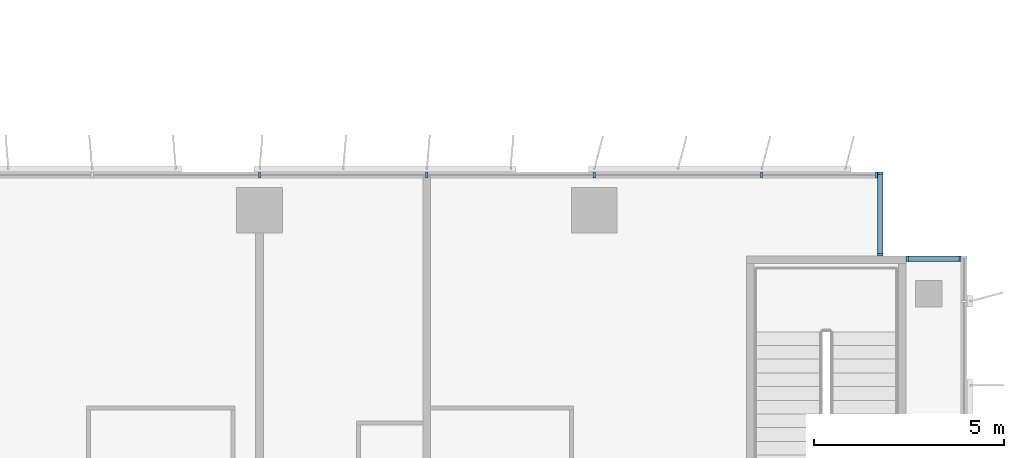
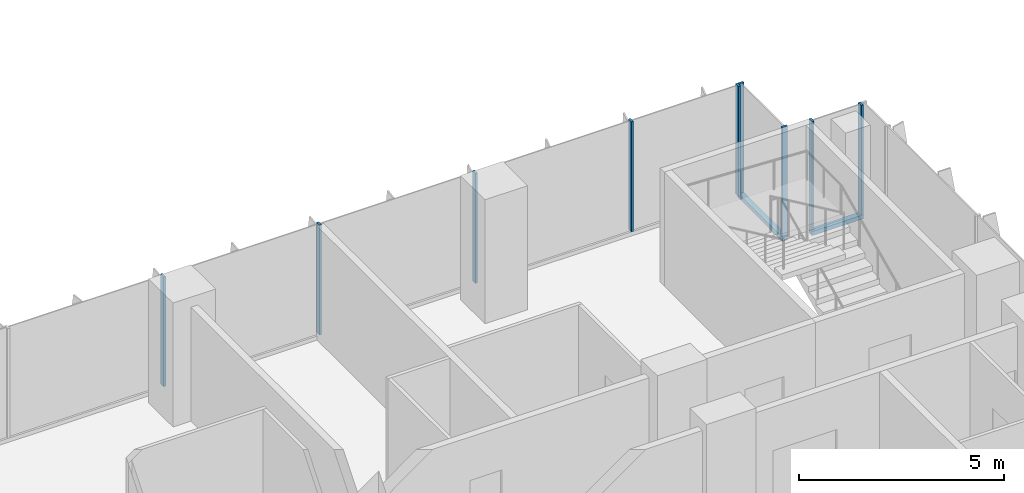
# One storey, part 4 of 22: 11 members, 3 elements without a shape of their own.
"""IFC4 building model written with IfcOpenShell, lengths in metres."""

from ifc_helpers import new_model, si_unit, direction, frame, origin, origin_2d, place, context, subcontext, project, spatial, rectangle, extrude, source, transform, mapped, material, material_profile, profile_set, type_object, element, aggregate, save


model = new_model("IFC4")

# Units and contexts
model_context = context("Model", 3, precision=1e-05, world=origin(), true_north=direction((0.0, 1.0)))
body_context = subcontext(model_context, "Body", "Model", "MODEL_VIEW")
ifc_project = project(units=[si_unit("LENGTHUNIT", "METRE"), si_unit("AREAUNIT", "SQUARE_METRE"), si_unit("VOLUMEUNIT", "CUBIC_METRE"), si_unit("PLANEANGLEUNIT", "RADIAN"), si_unit("MASSUNIT", "GRAM", prefix="KILO")], contexts=[model_context])

# Site, building, storey
site_placement = place(None, origin())
site = spatial("IfcSite", under=ifc_project, at=site_placement, CompositionType="ELEMENT")
building_placement = place(site_placement, origin())
building = spatial("IfcBuilding", under=site, at=building_placement, Name="Kemantara Hotel Tower", CompositionType="ELEMENT")
storey_placement = place(building_placement, frame((0.0, 0.0, 90.800048828125)))
storey = spatial("IfcBuildingStorey", under=building, at=storey_placement, Name="L21", CompositionType="ELEMENT", Elevation=90.800048828125)

# Curtain wall, member
ifc_material_1 = material(Name="Low-E tinted double insulated glass 36 mm", Category="glass")
curtain_wall_type = type_object("IfcCurtainWallType", Name="TOWER CURTAIN WALL, FRONT FACES", PredefinedType="USERDEFINED", material=ifc_material_1)
curtain_wall_1_placement = place(storey_placement, origin())
curtain_wall_1 = element("IfcCurtainWall", 1, at=curtain_wall_1_placement, inside=storey, type_object=curtain_wall_type, Name="CW4 L21 T2-R11-1", ObjectType="TOWER CURTAIN WALL, FRONT FACES", PredefinedType="USERDEFINED")
ifc_material_2 = material(Name="Aluminium 6063-T6 bronze anodised", Category="aluminium")
ifc_material_profile_1 = material_profile(ifc_material_2, rectangle(XDim=0.14990234375, YDim=0.1201171875, at=origin_2d()), Name="TOWER CURTAIN WALL, FRONT FACES TRANSOM")
ifc_profile_set_1 = profile_set([ifc_material_profile_1], Name="Aluminium 6063-T6 bronze anodised")
member_type_1 = type_object("IfcMemberType", Name="TOWER CURTAIN WALL, FRONT FACES TRANSOM", PredefinedType="USERDEFINED", material=ifc_profile_set_1)
member_1_placement = place(storey_placement, frame((63.449951171875, 19.72509765625, 0.06005859375), z_axis=(-1.0, 0.0, 0.0), x_axis=(0.0, -1.0, 0.0)))
member_1 = element("IfcMember", 2, at=member_1_placement, type_object=member_type_1, Name="CW4 sill transom T2-R11-1", ObjectType="TRANSOM", PredefinedType="USERDEFINED", context=body_context, shape_type="SweptSolid", body=[
    extrude(rectangle(XDim=0.14990234375, YDim=0.1201171875, at=origin_2d()), origin(), (0.0, 0.0, 1.0), 1.449951171875),
])

curtain_wall_2_placement = place(storey_placement, origin())
curtain_wall_2 = element("IfcCurtainWall", 3, at=curtain_wall_2_placement, inside=storey, type_object=curtain_wall_type, Name="CW4 L21 T2-R12-1", ObjectType="TOWER CURTAIN WALL, FRONT FACES", PredefinedType="USERDEFINED")
member_2_placement = place(storey_placement, frame((61.324951171875, 19.800048828125, 0.06005859375), z_axis=(0.0, 1.0, 0.0), x_axis=(-1.0, 0.0, 0.0)))
member_2 = element("IfcMember", 4, at=member_2_placement, type_object=member_type_1, Name="CW4 sill transom T2-R12-1", ObjectType="TRANSOM", PredefinedType="USERDEFINED", context=body_context, shape_type="SweptSolid", body=[
    extrude(rectangle(XDim=0.14990234375, YDim=0.1201171875, at=origin_2d()), origin(), (0.0, 0.0, 1.0), 2.199951171875),
])

# Curtain wall, members
curtain_wall_3_placement = place(storey_placement, origin())
curtain_wall_3 = element("IfcCurtainWall", 5, at=curtain_wall_3_placement, inside=storey, type_object=curtain_wall_type, Name="CW4 L21 T2-R13-1", ObjectType="TOWER CURTAIN WALL, FRONT FACES", PredefinedType="USERDEFINED")
ifc_material_profile_2 = material_profile(ifc_material_2, rectangle(XDim=0.14990234375, YDim=0.06005859375, at=origin_2d()), Name="TOWER CURTAIN WALL, FRONT FACES MULLION")
ifc_profile_set_2 = profile_set([ifc_material_profile_2], Name="Aluminium 6063-T6 bronze anodised")
member_type_2 = type_object("IfcMemberType", Name="TOWER CURTAIN WALL, FRONT FACES MULLION", PredefinedType="MULLION", material=ifc_profile_set_2)
shared_shape = source(origin(), body_context, "Body", "SweptSolid", [
    extrude(rectangle(XDim=0.14990234375, YDim=0.06005859375, at=origin_2d()), origin(), (0.0, 0.0, 1.0), 3.280029296875),
])
member_3_placement = place(storey_placement, frame((61.219970703125, 21.925048828125, 0.119873046875), z_axis=(0.0, 0.0, 1.0), x_axis=(0.0, -1.0, 0.0)))
member_3 = element("IfcMember", 6, at=member_3_placement, type_object=member_type_2, Name="CW4 mullion T2-R13-1.1", PredefinedType="MULLION", context=body_context, shape_type="MappedRepresentation", body=[
    mapped(shared_shape, transform((0.0, 0.0, 0.0))),
])
member_4_placement = place(storey_placement, frame((58.199951171875, 21.925048828125, 0.119873046875), z_axis=(0.0, 0.0, 1.0), x_axis=(0.0, -1.0, 0.0)))
member_4 = element("IfcMember", 7, at=member_4_placement, type_object=member_type_2, Name="CW4 mullion T2-R13-1.2", PredefinedType="MULLION", context=body_context, shape_type="MappedRepresentation", body=[
    mapped(shared_shape, transform((0.0, 0.0, 0.0))),
])
member_5_placement = place(storey_placement, frame((53.800048828125, 21.925048828125, 0.119873046875), z_axis=(0.0, 0.0, 1.0), x_axis=(0.0, -1.0, 0.0)))
member_5 = element("IfcMember", 8, at=member_5_placement, type_object=member_type_2, Name="CW4 mullion T2-R13-1.3", PredefinedType="MULLION", context=body_context, shape_type="MappedRepresentation", body=[
    mapped(shared_shape, transform((0.0, 0.0, 0.0))),
])
member_6_placement = place(storey_placement, frame((49.39990234375, 21.925048828125, 0.119873046875), z_axis=(0.0, 0.0, 1.0), x_axis=(0.0, -1.0, 0.0)))
member_6 = element("IfcMember", 9, at=member_6_placement, type_object=member_type_2, Name="CW4 mullion T2-R13-1.4", PredefinedType="MULLION", context=body_context, shape_type="MappedRepresentation", body=[
    mapped(shared_shape, transform((0.0, 0.0, 0.0))),
])
member_7_placement = place(storey_placement, frame((45.0, 21.925048828125, 0.119873046875), z_axis=(0.0, 0.0, 1.0), x_axis=(0.0, -1.0, 0.0)))
member_7 = element("IfcMember", 10, at=member_7_placement, type_object=member_type_2, Name="CW4 mullion T2-R13-1.5", PredefinedType="MULLION", context=body_context, shape_type="MappedRepresentation", body=[
    mapped(shared_shape, transform((0.0, 0.0, 0.0))),
])
aggregate(curtain_wall_3, [member_3, member_4, member_5, member_6, member_7])

# Member
member_8_placement = place(storey_placement, frame((63.419921875, 19.72509765625, 0.119873046875), z_axis=(0.0, 0.0, 1.0), x_axis=(0.0, -1.0, 0.0)))
member_8 = element("IfcMember", 11, at=member_8_placement, type_object=member_type_2, Name="CW4 mullion T2-R11-1.1", PredefinedType="MULLION", context=body_context, shape_type="MappedRepresentation", body=[
    mapped(shared_shape, transform((0.0, 0.0, 0.0))),
])

member_9_placement = place(storey_placement, frame((62.030029296875, 19.72509765625, 0.119873046875), z_axis=(0.0, 0.0, 1.0), x_axis=(0.0, -1.0, 0.0)))
member_9 = element("IfcMember", 12, at=member_9_placement, type_object=member_type_2, Name="CW4 mullion T2-R11-1.2", PredefinedType="MULLION", context=body_context, shape_type="MappedRepresentation", body=[
    mapped(shared_shape, transform((0.0, 0.0, 0.0))),
])

aggregate(curtain_wall_1, [member_1, member_8, member_9])

member_10_placement = place(storey_placement, frame((61.324951171875, 19.830078125, 0.119873046875), z_axis=(0.0, 0.0, 1.0), x_axis=(-1.0, 0.0, 0.0)))
member_10 = element("IfcMember", 13, at=member_10_placement, type_object=member_type_2, Name="CW4 mullion T2-R12-1.1", PredefinedType="MULLION", context=body_context, shape_type="MappedRepresentation", body=[
    mapped(shared_shape, transform((0.0, 0.0, 0.0))),
])

member_11_placement = place(storey_placement, frame((61.324951171875, 21.969970703125, 0.119873046875), z_axis=(0.0, 0.0, 1.0), x_axis=(-1.0, 0.0, 0.0)))
member_11 = element("IfcMember", 14, at=member_11_placement, type_object=member_type_2, Name="CW4 mullion T2-R12-1.2", PredefinedType="MULLION", context=body_context, shape_type="MappedRepresentation", body=[
    mapped(shared_shape, transform((0.0, 0.0, 0.0))),
])

aggregate(curtain_wall_2, [member_2, member_10, member_11])

save(model, "model.ifc")
